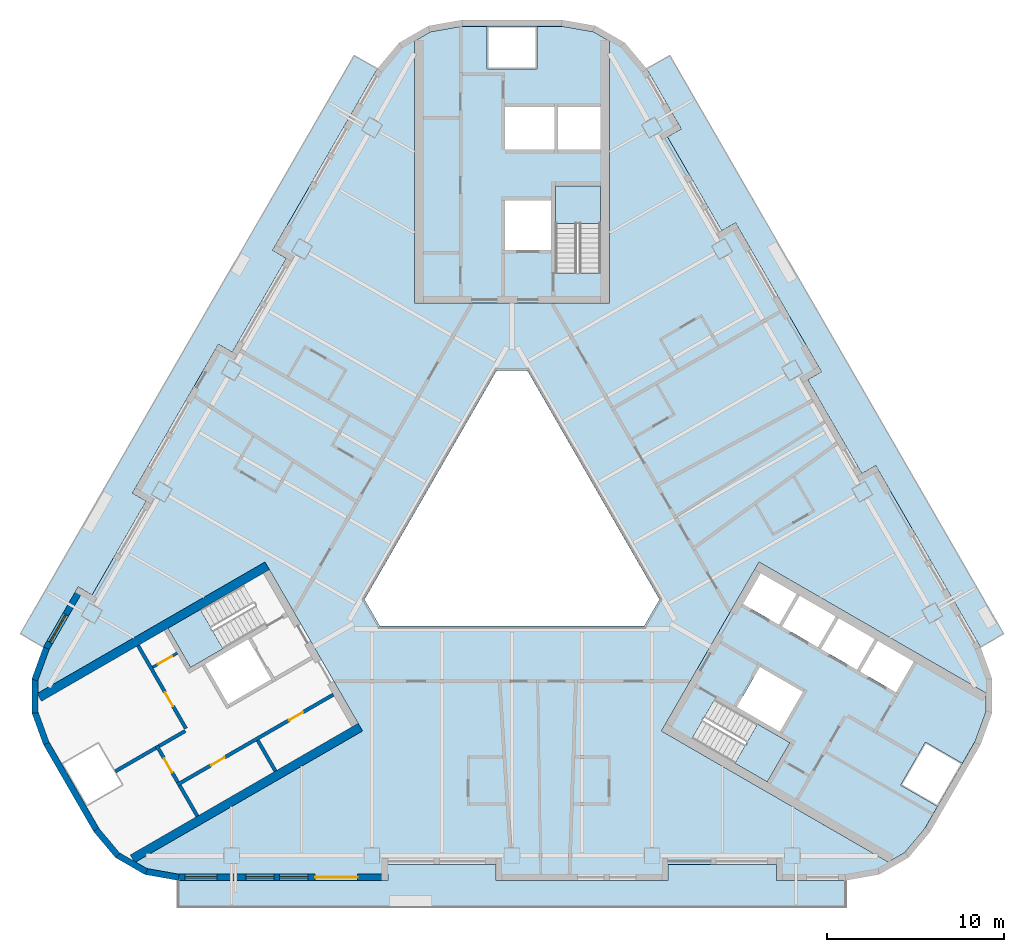
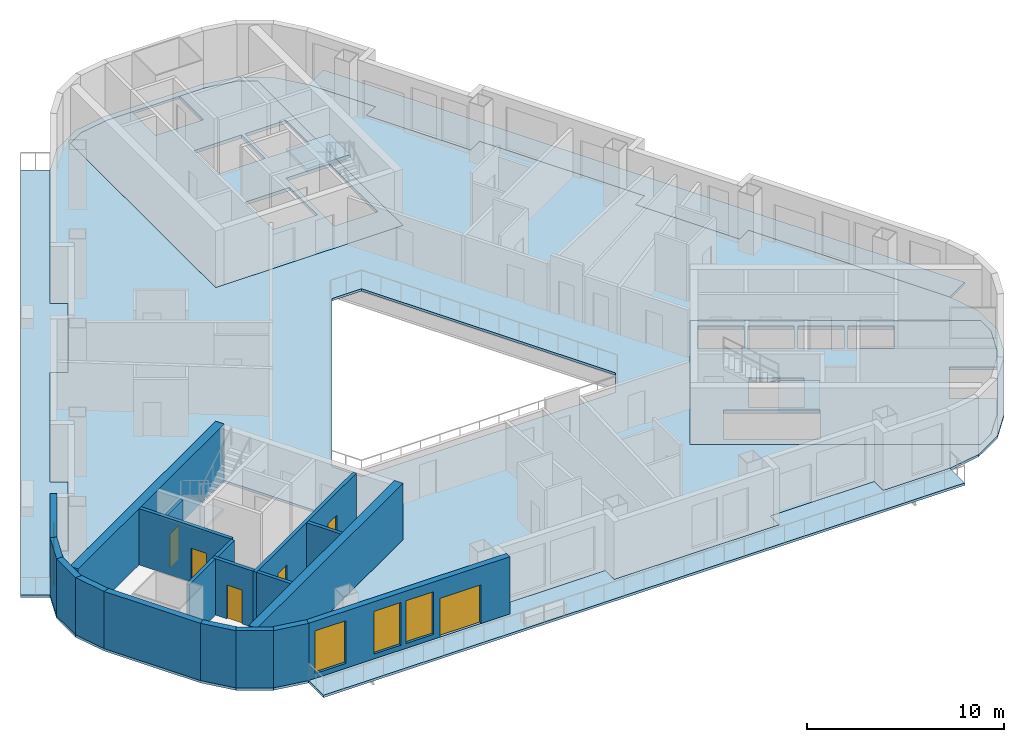
# One storey, part 2 of 14: 19 walls, 9 slabs, 6 doors, 4 windows, 10 openings, 3 elements without a shape of their own.
"""IFC4 building model written with IfcOpenShell, lengths in metres."""

from ifc_helpers import new_model, si_unit, direction, frame, frame_2d, origin, place, context, subcontext, project, spatial, polyline, rectangle, outline, extrude, material, layer, layer_set, type_object, element, fill, aggregate, save


model = new_model("IFC4")

# Units and contexts
model_context = context("Model", 3, precision=1e-05, world=origin(), true_north=direction((0.0, 1.0)))
body_context = subcontext(model_context, "Body", "Model", "MODEL_VIEW")
ifc_project = project(units=[si_unit("LENGTHUNIT", "METRE"), si_unit("AREAUNIT", "SQUARE_METRE"), si_unit("VOLUMEUNIT", "CUBIC_METRE"), si_unit("PLANEANGLEUNIT", "RADIAN"), si_unit("MASSUNIT", "GRAM", prefix="KILO")], contexts=[model_context])

# Site, building, storey
site_placement = place(None, origin())
site = spatial("IfcSite", under=ifc_project, at=site_placement, CompositionType="ELEMENT")
building_placement = place(site_placement, origin())
building = spatial("IfcBuilding", under=site, at=building_placement, Name="Apuvela Tower Hotel", CompositionType="ELEMENT")
storey_placement = place(building_placement, frame((0.0, 0.0, 109.39990234375)))
storey = spatial("IfcBuildingStorey", under=building, at=storey_placement, Name="L25", CompositionType="ELEMENT", Elevation=109.39990234375)

# Slabs
ifc_material_1 = material(Name="Concrete C50/60", Category="concrete")
ifc_layer_1 = layer(ifc_material_1, 0.199951171875)
ifc_layer_set_1 = layer_set([ifc_layer_1], Name="COR-FLOOR-200")
slab_type_1 = type_object("IfcSlabType", Name="COR-FLOOR-200", PredefinedType="FLOOR", material=ifc_layer_set_1)
slab_1_placement = place(storey_placement, frame((0.0, 0.0, -0.199951171875)))
element("IfcSlab", 1, at=slab_1_placement, inside=storey, type_object=slab_type_1, Name="Core floor N", PredefinedType="FLOOR", context=body_context, shape_type="SweptSolid", body=[
    extrude(outline(polyline([(5.5, 27.668212890625), (4.588623046875, 28.1943359375), (2.85498046875, 28.5), (1.39990234375, 28.5), (1.39990234375, 26.10009765625), (-1.39990234375, 26.10009765625), (-1.39990234375, 28.5), (-2.85498046875, 28.5), (-4.588623046875, 28.1943359375), (-5.5, 27.668212890625), (-5.5, 12.89990234375), (5.5, 12.89990234375), (5.5, 27.668212890625)]), holes=[polyline([(5.0, 14.60595703125), (2.449951171875, 14.60595703125), (2.449951171875, 19.5), (5.0, 19.5), (5.0, 14.60595703125)]), polyline([(2.199951171875, 15.89990234375), (-0.39990234375, 15.89990234375), (-0.39990234375, 18.699951171875), (2.199951171875, 18.699951171875), (2.199951171875, 15.89990234375)]), polyline([(5.0, 21.550048828125), (2.60009765625, 21.550048828125), (2.60009765625, 23.949951171875), (5.0, 23.949951171875), (5.0, 21.550048828125)]), polyline([(2.39990234375, 21.550048828125), (-0.39990234375, 21.550048828125), (-0.39990234375, 23.949951171875), (2.39990234375, 23.949951171875), (2.39990234375, 21.550048828125)])]), origin(), (0.0, 0.0, 1.0), 0.199951171875),
])
slab_2_placement = place(storey_placement, frame((0.0, 0.0, -0.199951171875)))
element("IfcSlab", 2, at=slab_2_placement, inside=storey, type_object=slab_type_1, Name="Core floor SE", PredefinedType="FLOOR", context=body_context, shape_type="SweptSolid", body=[
    extrude(outline(polyline([(21.211181640625, -18.59716796875), (22.122802734375, -18.071044921875), (23.254150390625, -16.72265625), (23.981689453125, -15.46240234375), (21.9033203125, -14.262451171875), (23.30322265625, -11.837646484375), (25.381591796875, -13.03759765625), (26.109375, -11.77734375), (26.711181640625, -10.123291015625), (26.711181640625, -9.07080078125), (13.921630859375, -1.68701171875), (8.421630859375, -11.213134765625), (21.211181640625, -18.59716796875)]), holes=[polyline([(13.01806640625, -4.052001953125), (14.01806640625, -2.31982421875), (16.044677734375, -3.489990234375), (15.044677734375, -5.221923828125), (13.01806640625, -4.052001953125)]), polyline([(17.244384765625, -6.491943359375), (15.2177734375, -5.322021484375), (16.2177734375, -3.58984375), (18.244384765625, -4.760009765625), (17.244384765625, -6.491943359375)]), polyline([(14.387451171875, -14.080078125), (10.149169921875, -11.633056640625), (11.42431640625, -9.4248046875), (15.66259765625, -11.871826171875), (14.387451171875, -14.080078125)]), polyline([(12.669921875, -9.855224609375), (13.9697265625, -7.603515625), (16.394775390625, -9.003662109375), (15.0947265625, -11.25537109375), (12.669921875, -9.855224609375)]), polyline([(19.444091796875, -7.761962890625), (17.41748046875, -6.591796875), (18.41748046875, -4.85986328125), (20.444091796875, -6.02978515625), (19.444091796875, -7.761962890625)]), polyline([(21.643798828125, -9.031982421875), (19.6171875, -7.86181640625), (20.6171875, -6.1298828125), (22.643798828125, -7.2998046875), (21.643798828125, -9.031982421875)])]), origin(), (0.0, 0.0, 1.0), 0.199951171875),
])

# Stair, slab
stair_type = type_object("IfcStairType", Name="COR-STAIR-22R", PredefinedType="HALF_TURN_STAIR", material=ifc_material_1)
stair_1_placement = place(storey_placement, origin())
stair_1 = element("IfcStair", 3, at=stair_1_placement, inside=storey, type_object=stair_type, Name="L25 Exit stair ST1", PredefinedType="HALF_TURN_STAIR")
ifc_layer_2 = layer(ifc_material_1, 0.199951171875)
ifc_layer_set_2 = layer_set([ifc_layer_2], Name="COR-LANDING-200")
slab_type_2 = type_object("IfcSlabType", Name="COR-LANDING-200", PredefinedType="LANDING", material=ifc_layer_set_2)
slab_3_placement = place(storey_placement, frame((0.0, 0.0, 1.650146484375)))
slab_3 = element("IfcSlab", 4, at=slab_3_placement, type_object=slab_type_2, Name="ST1 landing 1", PredefinedType="LANDING", context=body_context, shape_type="SweptSolid", body=[
    extrude(outline(polyline([(5.0, 17.39404296875), (5.0, 19.5), (2.449951171875, 19.5), (2.449951171875, 17.39404296875), (5.0, 17.39404296875)])), origin(), (0.0, 0.0, 1.0), 0.199951171875),
])
aggregate(stair_1, [slab_3])

stair_2_placement = place(storey_placement, origin())
stair_2 = element("IfcStair", 5, at=stair_2_placement, inside=storey, type_object=stair_type, Name="L25 Exit stair ST2", PredefinedType="HALF_TURN_STAIR")
slab_4_placement = place(storey_placement, frame((0.0, 0.0, 1.650146484375)))
slab_4 = element("IfcSlab", 6, at=slab_4_placement, type_object=slab_type_2, Name="ST2 landing 1", PredefinedType="LANDING", context=body_context, shape_type="SweptSolid", body=[
    extrude(outline(polyline([(-17.563720703125, -4.366943359375), (-19.387451171875, -5.419921875), (-18.112548828125, -7.628173828125), (-16.28857421875, -6.5751953125), (-17.563720703125, -4.366943359375)])), origin(), (0.0, 0.0, 1.0), 0.199951171875),
])
aggregate(stair_2, [slab_4])

stair_3_placement = place(storey_placement, origin())
stair_3 = element("IfcStair", 7, at=stair_3_placement, inside=storey, type_object=stair_type, Name="L25 Exit stair ST3", PredefinedType="HALF_TURN_STAIR")
slab_5_placement = place(storey_placement, frame((0.0, 0.0, 1.650146484375)))
slab_5 = element("IfcSlab", 8, at=slab_5_placement, type_object=slab_type_2, Name="ST3 landing 1", PredefinedType="LANDING", context=body_context, shape_type="SweptSolid", body=[
    extrude(outline(polyline([(12.563720703125, -13.027099609375), (14.387451171875, -14.080078125), (15.66259765625, -11.871826171875), (13.838623046875, -10.81884765625), (12.563720703125, -13.027099609375)])), origin(), (0.0, 0.0, 1.0), 0.199951171875),
])
aggregate(stair_3, [slab_5])

# Slabs
ifc_material_2 = material(Name="Concrete C40/50, fair-faced", Category="concrete")
ifc_layer_3 = layer(ifc_material_2, 0.14990234375)
ifc_layer_set_3 = layer_set([ifc_layer_3], Name="ENV-BALCONY-150")
slab_type_3 = type_object("IfcSlabType", Name="ENV-BALCONY-150", PredefinedType="FLOOR", material=ifc_layer_set_3)
slab_6_placement = place(storey_placement, frame((0.0, 0.0, -0.14990234375)))
element("IfcSlab", 9, at=slab_6_placement, inside=storey, type_object=slab_type_3, Name="Balcony slab S L25", PredefinedType="FLOOR", context=body_context, shape_type="SweptSolid", body=[
    extrude(outline(polyline([(18.82080078125, -21.135009765625), (-18.82080078125, -21.135009765625), (-18.82080078125, -19.625), (-7.0048828125, -19.625), (-7.0048828125, -18.72509765625), (-0.89501953125, -18.72509765625), (-0.89501953125, -19.625), (8.794921875, -19.625), (8.794921875, -18.72509765625), (14.905029296875, -18.72509765625), (14.905029296875, -19.625), (18.82080078125, -19.625), (18.82080078125, -21.135009765625)])), origin(), (0.0, 0.0, 1.0), 0.14990234375),
])
slab_7_placement = place(storey_placement, frame((0.0, 0.0, -0.14990234375)))
element("IfcSlab", 10, at=slab_7_placement, inside=storey, type_object=slab_type_3, Name="Balcony slab NE L25", PredefinedType="FLOOR", context=body_context, shape_type="SweptSolid", body=[
    extrude(outline(polyline([(17.443359375, 9.037353515625), (12.598388671875, 17.42919921875), (11.81884765625, 16.979248046875), (8.763916015625, 22.2705078125), (9.543212890625, 22.720703125), (7.585205078125, 26.11181640625), (8.89306640625, 26.86669921875), (27.7138671875, -5.731689453125), (26.40625, -6.48681640625), (20.498291015625, 3.74609375), (19.71875, 3.2958984375), (16.663818359375, 8.58740234375), (17.443359375, 9.037353515625)])), origin(), (0.0, 0.0, 1.0), 0.14990234375),
])
slab_8_placement = place(storey_placement, frame((0.0, 0.0, -0.14990234375)))
element("IfcSlab", 11, at=slab_8_placement, inside=storey, type_object=slab_type_3, Name="Balcony slab NW L25", PredefinedType="FLOOR", context=body_context, shape_type="SweptSolid", body=[
    extrude(outline(polyline([(-27.7138671875, -5.731689453125), (-8.89306640625, 26.86669921875), (-7.585205078125, 26.11181640625), (-13.4931640625, 15.87890625), (-12.7138671875, 15.428955078125), (-15.768798828125, 10.1376953125), (-16.548095703125, 10.587646484375), (-21.393310546875, 2.19580078125), (-20.61376953125, 1.745849609375), (-23.668701171875, -3.545654296875), (-24.4482421875, -3.095703125), (-26.40625, -6.48681640625), (-27.7138671875, -5.731689453125)])), origin(), (0.0, 0.0, 1.0), 0.14990234375),
])
ifc_material_3 = material(Name="Concrete C35/45", Category="concrete")
ifc_layer_4 = layer(ifc_material_3, 0.14990234375)
ifc_layer_set_4 = layer_set([ifc_layer_4], Name="STR-SLAB 150 floor Concrete C35/45")
slab_type_4 = type_object("IfcSlabType", Name="STR-SLAB 150 floor Concrete C35/45", PredefinedType="FLOOR", material=ifc_layer_set_4)
slab_9_placement = place(storey_placement, frame((0.0, 0.0, -0.14990234375)))
element("IfcSlab", 12, at=slab_9_placement, inside=storey, type_object=slab_type_4, Name="Floor slab S4 L25", PredefinedType="FLOOR", context=body_context, shape_type="SweptSolid", body=[
    extrude(outline(polyline([(-6.3642578125, 27.5732421875), (-4.710205078125, 28.5283203125), (-2.8291015625, 28.860107421875), (2.8291015625, 28.860107421875), (4.710205078125, 28.5283203125), (6.3642578125, 27.5732421875), (7.59228515625, 26.110107421875), (9.550048828125, 22.71875), (8.770751953125, 22.268798828125), (11.82080078125, 16.986083984375), (12.60009765625, 17.43603515625), (17.4501953125, 9.035400390625), (16.670654296875, 8.58544921875), (19.720703125, 3.302734375), (20.5, 3.752685546875), (26.407958984375, -6.47998046875), (27.061279296875, -8.27490234375), (27.061279296875, -10.18505859375), (26.407958984375, -11.97998046875), (23.5791015625, -16.8798828125), (22.351318359375, -18.34326171875), (20.697021484375, -19.29833984375), (18.81591796875, -19.6298828125), (14.89990234375, -19.6298828125), (14.89990234375, -18.72998046875), (8.800048828125, -18.72998046875), (8.800048828125, -19.6298828125), (-0.89990234375, -19.6298828125), (-0.89990234375, -18.72998046875), (-7.0, -18.72998046875), (-7.0, -19.6298828125), (-18.81591796875, -19.6298828125), (-20.697021484375, -19.29833984375), (-22.351318359375, -18.34326171875), (-23.5791015625, -16.8798828125), (-26.407958984375, -11.97998046875), (-27.061279296875, -10.18505859375), (-27.061279296875, -8.27490234375), (-26.407958984375, -6.47998046875), (-24.4501953125, -3.088623046875), (-23.670654296875, -3.538818359375), (-20.62060546875, 1.743896484375), (-21.400146484375, 2.194091796875), (-16.550048828125, 10.594482421875), (-15.7705078125, 10.14453125), (-12.720703125, 15.42724609375), (-13.5, 15.877197265625), (-7.59228515625, 26.110107421875), (-6.3642578125, 27.5732421875)]), holes=[polyline([(0.865966796875, 9.10009765625), (-0.865966796875, 9.10009765625), (-8.313720703125, -3.800048828125), (-7.44775390625, -5.300048828125), (7.44775390625, -5.300048828125), (8.313720703125, -3.800048828125), (0.865966796875, 9.10009765625)]), polyline([(-5.5, 12.89990234375), (-5.5, 27.668212890625), (-4.588623046875, 28.1943359375), (-2.85498046875, 28.5), (2.85498046875, 28.5), (4.588623046875, 28.1943359375), (5.5, 27.668212890625), (5.5, 12.89990234375), (-5.5, 12.89990234375)]), polyline([(-8.421630859375, -11.213134765625), (-21.211181640625, -18.59716796875), (-22.122802734375, -18.071044921875), (-23.254150390625, -16.72265625), (-26.109375, -11.77734375), (-26.711181640625, -10.123291015625), (-26.711181640625, -9.07080078125), (-13.921630859375, -1.68701171875), (-8.421630859375, -11.213134765625)]), polyline([(13.921630859375, -1.68701171875), (26.711181640625, -9.07080078125), (26.711181640625, -10.123291015625), (26.109375, -11.77734375), (23.254150390625, -16.72265625), (22.122802734375, -18.071044921875), (21.211181640625, -18.59716796875), (8.421630859375, -11.213134765625), (13.921630859375, -1.68701171875)])]), origin(), (0.0, 0.0, 1.0), 0.14990234375),
])

# Walls
ifc_layer_5 = layer(ifc_material_1, 0.5)
ifc_layer_set_5 = layer_set([ifc_layer_5], Name="COR-WALL-CORE-500")
wall_type_1 = type_object("IfcWallType", Name="COR-WALL-CORE-500", PredefinedType="SHEAR", material=ifc_layer_set_5)
for number, where, z_axis, x_axis, name in (
    (13, (-13.796630859375, -1.9033203125, 0.0), (0.0, 0.0, 1.0), (-0.866025009528, -0.500000682871, 0.0), "Core wall SW"),
    (14, (-8.546630859375, -10.99658203125, 0.0), (0.0, 0.0, 1.0), (-0.866025009528, -0.500000682871, 0.0), "Core wall SW"),
):
    element("IfcWall", number, at=place(storey_placement, frame(where, z_axis=z_axis, x_axis=x_axis)), inside=storey, type_object=wall_type_1, Name=name, PredefinedType="SHEAR", context=body_context, shape_type="SweptSolid", body=[
        extrude(rectangle(XDim=14.8369140625, YDim=0.5, at=frame_2d((7.41845703125, 0.0))), origin(), (0.0, 0.0, 1.0), 3.5),
    ])

# Wall, opening, door
ifc_material_4 = material(Name="Blockwork 150 mm plastered", Category="masonry")
ifc_layer_6 = layer(ifc_material_4, 0.14990234375)
ifc_layer_set_6 = layer_set([ifc_layer_6], Name="COR-WALL-PART-150")
wall_type_2 = type_object("IfcWallType", Name="COR-WALL-PART-150", PredefinedType="PARTITIONING", material=ifc_layer_set_6)
wall_1_placement = place(storey_placement, frame((-18.866455078125, -6.822265625, 0.0), z_axis=(0.0, 0.0, 1.0), x_axis=(-0.866028054938, -0.499995408039, 0.0)))
wall_1 = element("IfcWall", 15, at=wall_1_placement, inside=storey, type_object=wall_type_2, Name="Partition SW", PredefinedType="PARTITIONING", context=body_context, shape_type="SweptSolid", body=[
    extrude(rectangle(XDim=1.60009765625, YDim=0.14990234375, at=frame_2d((0.800048828125, 0.0))), origin(), (0.0, 0.0, 1.0), 3.5),
])
opening_1_placement = place(wall_1_placement, frame((0.35009765625, 0.0, 0.0)))
opening_1 = element("IfcOpeningElement", 16, at=opening_1_placement, cuts=wall_1, Name="Opening W-RD", PredefinedType="OPENING", context=body_context, shape_type="SweptSolid", body=[
    extrude(rectangle(XDim=0.89990234375, YDim=2.10009765625, at=frame_2d((0.449951171875, 1.050048828125))), frame((0.0, 0.0849609375, 0.0), z_axis=(0.0, -1.0, 0.0), x_axis=(1.0, 0.0, 0.0)), (0.0, 0.0, 1.0), 0.169921875),
])
ifc_material_5 = material(Name="Steel access door, powder coated", Category="steel")
door_type_1 = type_object("IfcDoorType", Name="COR-RD-900", OperationType="NOTDEFINED", PredefinedType="DOOR", material=ifc_material_5)
door_1_placement = place(opening_1_placement, frame((0.89990234375, 0.0, 0.0), z_axis=(0.0, 0.0, 1.0), x_axis=(-1.0, 0.0, 0.0)))
door_1 = element("IfcDoor", 17, at=door_1_placement, inside=storey, type_object=door_type_1, Name="Riser door W-RD", OperationType="SINGLE_SWING_RIGHT", OverallHeight=2.10009765625, OverallWidth=0.89990234375, PredefinedType="DOOR", context=body_context, shape_type="SweptSolid", body=[
    extrude(rectangle(XDim=0.89990234375, YDim=2.10009765625, at=frame_2d((0.449951171875, 1.050048828125))), frame((0.0, 0.02490234375, 0.0), z_axis=(0.0, -1.0, 0.0), x_axis=(1.0, 0.0, 0.0)), (0.0, 0.0, 1.0), 0.050048828125),
])
fill(opening_1, door_1)

ifc_material_6 = material(Name="Blockwork 200 mm plastered", Category="masonry")
ifc_layer_7 = layer(ifc_material_6, 0.199951171875)
ifc_layer_set_7 = layer_set([ifc_layer_7], Name="COR-WALL-PART-200")
wall_type_3 = type_object("IfcWallType", Name="COR-WALL-PART-200", PredefinedType="PARTITIONING", material=ifc_layer_set_7)
wall_2_placement = place(storey_placement, frame((-21.076171875, -6.39501953125, 0.0), z_axis=(0.0, 0.0, 1.0), x_axis=(0.50001468107, -0.866016927499, 0.0)))
wall_2 = element("IfcWall", 18, at=wall_2_placement, inside=storey, type_object=wall_type_3, Name="Partition SW", PredefinedType="PARTITIONING", context=body_context, shape_type="SweptSolid", body=[
    extrude(rectangle(XDim=5.399658203125, YDim=0.199951171875, at=frame_2d((2.69970703125, 0.0))), origin(), (0.0, 0.0, 1.0), 3.5),
])
opening_2_placement = place(wall_2_placement, frame((3.050048828125, 0.0, 0.0)))
opening_2 = element("IfcOpeningElement", 19, at=opening_2_placement, cuts=wall_2, Name="Opening W-RS1", PredefinedType="OPENING", context=body_context, shape_type="SweptSolid", body=[
    extrude(rectangle(XDim=0.89990234375, YDim=2.10009765625, at=frame_2d((0.449951171875, 1.050048828125))), frame((0.0, 0.10986328125, 0.0), z_axis=(0.0, -1.0, 0.0), x_axis=(1.0, 0.0, 0.0)), (0.0, 0.0, 1.0), 0.219970703125),
])
ifc_material_7 = material(Name="Steel fire door, powder coated", Category="steel")
door_type_2 = type_object("IfcDoorType", Name="COR-DR-900", OperationType="NOTDEFINED", PredefinedType="DOOR", material=ifc_material_7)
door_2_placement = place(opening_2_placement, frame((0.89990234375, 0.0, 0.0), z_axis=(0.0, 0.0, 1.0), x_axis=(-1.0, 0.0, 0.0)))
door_2 = element("IfcDoor", 20, at=door_2_placement, inside=storey, type_object=door_type_2, Name="Store door W-RS1", OperationType="SINGLE_SWING_LEFT", OverallHeight=2.10009765625, OverallWidth=0.89990234375, PredefinedType="DOOR", context=body_context, shape_type="SweptSolid", body=[
    extrude(rectangle(XDim=0.89990234375, YDim=2.10009765625, at=frame_2d((0.449951171875, 1.050048828125))), frame((0.0, 0.02490234375, 0.0), z_axis=(0.0, -1.0, 0.0), x_axis=(1.0, 0.0, 0.0)), (0.0, 0.0, 1.0), 0.050048828125),
])
fill(opening_2, door_2)

# Wall, openings, doors
ifc_layer_8 = layer(ifc_material_1, 0.199951171875)
ifc_layer_set_8 = layer_set([ifc_layer_8], Name="COR-WALL-SHAFT-200")
wall_type_4 = type_object("IfcWallType", Name="COR-WALL-SHAFT-200", PredefinedType="SHEAR", material=ifc_layer_set_8)
wall_3_placement = place(storey_placement, frame((-10.068115234375, -9.16162109375, 0.0), z_axis=(0.0, 0.0, 1.0), x_axis=(-0.866032725843, -0.499987317609, 0.0)))
wall_3 = element("IfcWall", 21, at=wall_3_placement, inside=storey, type_object=wall_type_4, Name="Shaft wall SW", PredefinedType="SHEAR", context=body_context, shape_type="SweptSolid", body=[
    extrude(rectangle(XDim=10.159912109375, YDim=0.199951171875, at=frame_2d((5.080078125, 0.0))), origin(), (0.0, 0.0, 1.0), 3.5),
])
opening_3_placement = place(wall_3_placement, frame((1.989990234375, 0.0, 0.0)))
opening_3 = element("IfcOpeningElement", 22, at=opening_3_placement, cuts=wall_3, Name="Opening W-RE1", PredefinedType="OPENING", context=body_context, shape_type="SweptSolid", body=[
    extrude(rectangle(XDim=0.89990234375, YDim=2.10009765625, at=frame_2d((0.449951171875, 1.050048828125))), frame((0.0, 0.10986328125, 0.0), z_axis=(0.0, -1.0, 0.0), x_axis=(1.0, 0.0, 0.0)), (0.0, 0.0, 1.0), 0.219970703125),
])
opening_4_placement = place(wall_3_placement, frame((7.070068359375, 0.0, 0.0)))
opening_4 = element("IfcOpeningElement", 23, at=opening_4_placement, cuts=wall_3, Name="Opening W-RE3", PredefinedType="OPENING", context=body_context, shape_type="SweptSolid", body=[
    extrude(rectangle(XDim=0.89990234375, YDim=2.10009765625, at=frame_2d((0.449951171875, 1.050048828125))), frame((0.0, 0.10986328125, 0.0), z_axis=(0.0, -1.0, 0.0), x_axis=(1.0, 0.0, 0.0)), (0.0, 0.0, 1.0), 0.219970703125),
])
door_3_placement = place(opening_3_placement, origin())
door_3 = element("IfcDoor", 24, at=door_3_placement, inside=storey, type_object=door_type_2, Name="Store door W-RE1", OperationType="SINGLE_SWING_LEFT", OverallHeight=2.10009765625, OverallWidth=0.89990234375, PredefinedType="DOOR", context=body_context, shape_type="SweptSolid", body=[
    extrude(rectangle(XDim=0.89990234375, YDim=2.10009765625, at=frame_2d((0.449951171875, 1.050048828125))), frame((0.0, 0.02490234375, 0.0), z_axis=(0.0, -1.0, 0.0), x_axis=(1.0, 0.0, 0.0)), (0.0, 0.0, 1.0), 0.050048828125),
])
fill(opening_3, door_3)
door_4_placement = place(opening_4_placement, origin())
door_4 = element("IfcDoor", 25, at=door_4_placement, inside=storey, type_object=door_type_2, Name="Store door W-RE3", OperationType="SINGLE_SWING_LEFT", OverallHeight=2.10009765625, OverallWidth=0.89990234375, PredefinedType="DOOR", context=body_context, shape_type="SweptSolid", body=[
    extrude(rectangle(XDim=0.89990234375, YDim=2.10009765625, at=frame_2d((0.449951171875, 1.050048828125))), frame((0.0, 0.02490234375, 0.0), z_axis=(0.0, -1.0, 0.0), x_axis=(1.0, 0.0, 0.0)), (0.0, 0.0, 1.0), 0.050048828125),
])
fill(opening_4, door_4)

# Wall, opening, door
wall_4_placement = place(storey_placement, frame((-20.030517578125, -12.0263671875, 0.0), z_axis=(0.0, 0.0, 1.0), x_axis=(0.500033551112, -0.866006032174, 0.0)))
wall_4 = element("IfcWall", 26, at=wall_4_placement, inside=storey, type_object=wall_type_4, Name="Shaft wall SW", PredefinedType="SHEAR", context=body_context, shape_type="SweptSolid", body=[
    extrude(rectangle(XDim=2.400146484375, YDim=0.199951171875, at=frame_2d((1.2001953125, 0.0))), origin(), (0.0, 0.0, 1.0), 3.5),
])
opening_5_placement = place(wall_4_placement, frame((0.85009765625, 0.0, 0.0)))
opening_5 = element("IfcOpeningElement", 27, at=opening_5_placement, cuts=wall_4, Name="Opening W-REP", PredefinedType="OPENING", context=body_context, shape_type="SweptSolid", body=[
    extrude(rectangle(XDim=0.89990234375, YDim=2.10009765625, at=frame_2d((0.449951171875, 1.050048828125))), frame((0.0, 0.10986328125, 0.0), z_axis=(0.0, -1.0, 0.0), x_axis=(1.0, 0.0, 0.0)), (0.0, 0.0, 1.0), 0.219970703125),
])
door_5_placement = place(opening_5_placement, frame((0.89990234375, 0.0, 0.0), z_axis=(0.0, 0.0, 1.0), x_axis=(-1.0, 0.0, 0.0)))
door_5 = element("IfcDoor", 28, at=door_5_placement, inside=storey, type_object=door_type_2, Name="Store door W-REP", OperationType="SINGLE_SWING_LEFT", OverallHeight=2.10009765625, OverallWidth=0.89990234375, PredefinedType="DOOR", context=body_context, shape_type="SweptSolid", body=[
    extrude(rectangle(XDim=0.89990234375, YDim=2.10009765625, at=frame_2d((0.449951171875, 1.050048828125))), frame((0.0, 0.02490234375, 0.0), z_axis=(0.0, -1.0, 0.0), x_axis=(1.0, 0.0, 0.0)), (0.0, 0.0, 1.0), 0.050048828125),
])
fill(opening_5, door_5)

# Walls
wall_5_placement = place(storey_placement, frame((-18.412841796875, -11.2080078125, 0.0), z_axis=(0.0, 0.0, 1.0), x_axis=(-0.866038183914, -0.499977863513, 0.0)))
element("IfcWall", 29, at=wall_5_placement, inside=storey, type_object=wall_type_4, Name="Shaft wall SW", PredefinedType="SHEAR", context=body_context, shape_type="SweptSolid", body=[
    extrude(rectangle(XDim=1.7099609375, YDim=0.199951171875, at=frame_2d((0.85498046875, 0.0))), origin(), (0.0, 0.0, 1.0), 3.5),
])
for number, where, z_axis, x_axis, name in (
    (30, (-14.330810546875, -11.738037109375, 0.0), (0.0, 0.0, 1.0), (0.499972520799, -0.866041268327, 0.0), "Shaft wall SW"),
    (31, (-18.73046875, -14.278076171875, 0.0), (0.0, 0.0, 1.0), (0.50002537861, -0.866010750942, 0.0), "Shaft wall SW"),
):
    element("IfcWall", number, at=place(storey_placement, frame(where, z_axis=z_axis, x_axis=x_axis)), inside=storey, type_object=wall_type_4, Name=name, PredefinedType="SHEAR", context=body_context, shape_type="SweptSolid", body=[
        extrude(rectangle(XDim=2.0, YDim=0.199951171875, at=frame_2d((1.0, 0.0))), origin(), (0.0, 0.0, 1.0), 3.5),
    ])
wall_6_placement = place(storey_placement, frame((-20.06689453125, -12.1630859375, 0.0), z_axis=(0.0, 0.0, 1.0), x_axis=(-0.866060851709, -0.499938597367, 0.0)))
element("IfcWall", 32, at=wall_6_placement, inside=storey, type_object=wall_type_4, Name="Shaft wall SW", PredefinedType="SHEAR", context=body_context, shape_type="SweptSolid", body=[
    extrude(rectangle(XDim=2.639892578125, YDim=0.199951171875, at=frame_2d((1.31982421875, 0.0))), origin(), (0.0, 0.0, 1.0), 3.5),
])

# Wall, opening, window
ifc_material_8 = material(Name="Concrete C40/50, dark pigmented precast panel", Category="concrete")
ifc_layer_9 = layer(ifc_material_8, 0.35009765625)
ifc_layer_set_9 = layer_set([ifc_layer_9], Name="ENV-WALL-350")
wall_type_5 = type_object("IfcWallType", Name="ENV-WALL-350", PredefinedType="SOLIDWALL", material=ifc_layer_set_9)
wall_7_placement = place(storey_placement, frame((-24.298583984375, -3.17626953125, 0.0), z_axis=(0.0, 0.0, 1.0), x_axis=(-0.500028278809, -0.866009076391, 0.0)))
wall_7 = element("IfcWall", 33, at=wall_7_placement, inside=storey, type_object=wall_type_5, Name="External wall L25-09", PredefinedType="SOLIDWALL", context=body_context, shape_type="SweptSolid", body=[
    extrude(rectangle(XDim=3.915771484375, YDim=0.35009765625, at=frame_2d((1.9580078125, 0.0))), origin(), (0.0, 0.0, 1.0), 3.550048828125),
])
opening_6_placement = place(wall_7_placement, frame((1.699951171875, 0.0, 0.300048828125)))
opening_6 = element("IfcOpeningElement", 34, at=opening_6_placement, cuts=wall_7, Name="Opening WN18", PredefinedType="OPENING", context=body_context, shape_type="SweptSolid", body=[
    extrude(rectangle(XDim=1.800048828125, YDim=2.64990234375, at=frame_2d((0.89990234375, 1.324951171875))), frame((0.0, 0.18505859375, 0.0), z_axis=(0.0, -1.0, 0.0), x_axis=(1.0, 0.0, 0.0)), (0.0, 0.0, 1.0), 0.3701171875),
])
ifc_material_9 = material(Name="Glass, dark tinted laminated insulated glazing unit", Category="glass")
window_type_1 = type_object("IfcWindowType", Name="ENV-WIN-1800x2650", PartitioningType="SINGLE_PANEL", PredefinedType="WINDOW", material=ifc_material_9)
window_1_placement = place(opening_6_placement, origin())
window_1 = element("IfcWindow", 35, at=window_1_placement, inside=storey, type_object=window_type_1, Name="Window WN18", OverallHeight=2.64990234375, OverallWidth=1.800048828125, PartitioningType="SINGLE_PANEL", PredefinedType="WINDOW", context=body_context, shape_type="SweptSolid", body=[
    extrude(rectangle(XDim=1.800048828125, YDim=2.64990234375, at=frame_2d((0.89990234375, 1.324951171875))), frame((0.0, 0.030029296875, 0.0), z_axis=(0.0, -1.0, 0.0), x_axis=(1.0, 0.0, 0.0)), (0.0, 0.0, 1.0), 0.06005859375),
])
fill(opening_6, window_1)

# Walls
for number, where, z_axis, x_axis, name in (
    (36, (-26.24365234375, -6.539794921875, 0.0), (0.0, 0.0, 1.0), (-0.342030395486, -0.939688889242, 0.0), "External wall L25-10"),
    (37, (-26.88623046875, -8.27490234375, 0.0), (0.0, 0.0, 1.0), (0.0, -1.0, 0.0), "External wall L25-11"),
    (38, (-26.89697265625, -10.125244140625, 0.0), (0.0, 0.0, 1.0), (0.342030395486, -0.939688889242, 0.0), "External wall L25-12"),
):
    element("IfcWall", number, at=place(storey_placement, frame(where, z_axis=z_axis, x_axis=x_axis)), inside=storey, type_object=wall_type_5, Name=name, PredefinedType="SOLIDWALL", context=body_context, shape_type="SweptSolid", body=[
        extrude(rectangle(XDim=1.91015625, YDim=0.35009765625, at=frame_2d((0.955078125, 0.0))), origin(), (0.0, 0.0, 1.0), 3.550048828125),
    ])
wall_8_placement = place(storey_placement, frame((-26.256591796875, -11.892578125, 0.0), z_axis=(0.0, 0.0, 1.0), x_axis=(0.500018773155, -0.866014564827, 0.0)))
element("IfcWall", 39, at=wall_8_placement, inside=storey, type_object=wall_type_5, Name="External wall L25-13", PredefinedType="SOLIDWALL", context=body_context, shape_type="SweptSolid", body=[
    extrude(rectangle(XDim=5.657958984375, YDim=0.35009765625, at=frame_2d((2.8291015625, 0.0))), origin(), (0.0, 0.0, 1.0), 3.550048828125),
])
for number, where, z_axis, x_axis, name in (
    (40, (-23.44482421875, -16.767578125, 0.0), (0.0, 0.0, 1.0), (0.642733291068, -0.76609001857, 0.0), "External wall L25-14"),
    (41, (-22.263671875, -18.191650390625, 0.0), (0.0, 0.0, 1.0), (0.866000389056, -0.500043324278, 0.0), "External wall L25-15"),
):
    element("IfcWall", number, at=place(storey_placement, frame(where, z_axis=z_axis, x_axis=x_axis)), inside=storey, type_object=wall_type_5, Name=name, PredefinedType="SOLIDWALL", context=body_context, shape_type="SweptSolid", body=[
        extrude(rectangle(XDim=1.909912109375, YDim=0.35009765625, at=frame_2d((0.955078125, 0.0))), origin(), (0.0, 0.0, 1.0), 3.550048828125),
    ])
wall_9_placement = place(storey_placement, frame((-20.66650390625, -19.1259765625, 0.0), z_axis=(0.0, 0.0, 1.0), x_axis=(0.984798995425, -0.173697837091, 0.0)))
element("IfcWall", 42, at=wall_9_placement, inside=storey, type_object=wall_type_5, Name="External wall L25-16", PredefinedType="SOLIDWALL", context=body_context, shape_type="SweptSolid", body=[
    extrude(rectangle(XDim=1.91015625, YDim=0.35009765625, at=frame_2d((0.955078125, 0.0))), origin(), (0.0, 0.0, 1.0), 3.550048828125),
])

# Wall, openings, door, windows
wall_10_placement = place(storey_placement, frame((-18.81591796875, -19.455078125, 0.0), z_axis=(0.0, 0.0, 1.0), x_axis=(1.0, 0.0, 0.0)))
wall_10 = element("IfcWall", 43, at=wall_10_placement, inside=storey, type_object=wall_type_5, Name="External wall L25-17", PredefinedType="SOLIDWALL", context=body_context, shape_type="SweptSolid", body=[
    extrude(rectangle(XDim=11.81591796875, YDim=0.35009765625, at=frame_2d((5.907958984375, 0.0))), origin(), (0.0, 0.0, 1.0), 3.550048828125),
])
opening_7_placement = place(wall_10_placement, frame((0.380615234375, 0.0, 0.300048828125)))
opening_7 = element("IfcOpeningElement", 44, at=opening_7_placement, cuts=wall_10, Name="Opening WN18", PredefinedType="OPENING", context=body_context, shape_type="SweptSolid", body=[
    extrude(rectangle(XDim=1.800048828125, YDim=2.64990234375, at=frame_2d((0.89990234375, 1.324951171875))), frame((0.0, 0.18505859375, 0.0), z_axis=(0.0, -1.0, 0.0), x_axis=(1.0, 0.0, 0.0)), (0.0, 0.0, 1.0), 0.3701171875),
])
opening_8_placement = place(wall_10_placement, frame((7.71630859375, 0.0, 0.0)))
opening_8 = element("IfcOpeningElement", 45, at=opening_8_placement, cuts=wall_10, Name="Opening BD24", PredefinedType="OPENING", context=body_context, shape_type="SweptSolid", body=[
    extrude(rectangle(XDim=2.39990234375, YDim=2.39990234375, at=frame_2d((1.199951171875, 1.199951171875))), frame((0.0, 0.18505859375, 0.0), z_axis=(0.0, -1.0, 0.0), x_axis=(1.0, 0.0, 0.0)), (0.0, 0.0, 1.0), 0.3701171875),
])
opening_9_placement = place(wall_10_placement, frame((3.816162109375, 0.0, 0.300048828125)))
opening_9 = element("IfcOpeningElement", 46, at=opening_9_placement, cuts=wall_10, Name="Opening WN16", PredefinedType="OPENING", context=body_context, shape_type="SweptSolid", body=[
    extrude(rectangle(XDim=1.60009765625, YDim=2.64990234375, at=frame_2d((0.800048828125, 1.324951171875))), frame((0.0, 0.18505859375, 0.0), z_axis=(0.0, -1.0, 0.0), x_axis=(1.0, 0.0, 0.0)), (0.0, 0.0, 1.0), 0.3701171875),
])
opening_10_placement = place(wall_10_placement, frame((5.71630859375, 0.0, 0.300048828125)))
opening_10 = element("IfcOpeningElement", 47, at=opening_10_placement, cuts=wall_10, Name="Opening WN16", PredefinedType="OPENING", context=body_context, shape_type="SweptSolid", body=[
    extrude(rectangle(XDim=1.60009765625, YDim=2.64990234375, at=frame_2d((0.800048828125, 1.324951171875))), frame((0.0, 0.18505859375, 0.0), z_axis=(0.0, -1.0, 0.0), x_axis=(1.0, 0.0, 0.0)), (0.0, 0.0, 1.0), 0.3701171875),
])
ifc_material_10 = material(Name="Aluminium 6063-T6, dark bronze anodised frame with dark tinted laminated glass", Category="aluminium")
door_type_3 = type_object("IfcDoorType", Name="ENV-DOOR-BALCONY-2400x2400", OperationType="SLIDING_TO_LEFT", PredefinedType="DOOR", material=ifc_material_10)
door_6_placement = place(opening_8_placement, frame((2.39990234375, 0.0, 0.0), z_axis=(0.0, 0.0, 1.0), x_axis=(-1.0, 0.0, 0.0)))
door_6 = element("IfcDoor", 48, at=door_6_placement, inside=storey, type_object=door_type_3, Name="Balcony door BD24", OperationType="SLIDING_TO_LEFT", OverallHeight=2.39990234375, OverallWidth=2.39990234375, PredefinedType="DOOR", context=body_context, shape_type="SweptSolid", body=[
    extrude(rectangle(XDim=2.39990234375, YDim=2.39990234375, at=frame_2d((1.199951171875, 1.199951171875))), frame((0.0, 0.02490234375, 0.0), z_axis=(0.0, -1.0, 0.0), x_axis=(1.0, 0.0, 0.0)), (0.0, 0.0, 1.0), 0.050048828125),
])
fill(opening_8, door_6)
window_type_2 = type_object("IfcWindowType", Name="ENV-WIN-1600x2650", PartitioningType="SINGLE_PANEL", PredefinedType="WINDOW", material=ifc_material_9)
window_2_placement = place(opening_9_placement, origin())
window_2 = element("IfcWindow", 49, at=window_2_placement, inside=storey, type_object=window_type_2, Name="Window WN16", OverallHeight=2.64990234375, OverallWidth=1.60009765625, PartitioningType="SINGLE_PANEL", PredefinedType="WINDOW", context=body_context, shape_type="SweptSolid", body=[
    extrude(rectangle(XDim=1.60009765625, YDim=2.64990234375, at=frame_2d((0.800048828125, 1.324951171875))), frame((0.0, 0.030029296875, 0.0), z_axis=(0.0, -1.0, 0.0), x_axis=(1.0, 0.0, 0.0)), (0.0, 0.0, 1.0), 0.06005859375),
])
fill(opening_9, window_2)
window_3_placement = place(opening_10_placement, origin())
window_3 = element("IfcWindow", 50, at=window_3_placement, inside=storey, type_object=window_type_2, Name="Window WN16", OverallHeight=2.64990234375, OverallWidth=1.60009765625, PartitioningType="SINGLE_PANEL", PredefinedType="WINDOW", context=body_context, shape_type="SweptSolid", body=[
    extrude(rectangle(XDim=1.60009765625, YDim=2.64990234375, at=frame_2d((0.800048828125, 1.324951171875))), frame((0.0, 0.030029296875, 0.0), z_axis=(0.0, -1.0, 0.0), x_axis=(1.0, 0.0, 0.0)), (0.0, 0.0, 1.0), 0.06005859375),
])
fill(opening_10, window_3)
window_4_placement = place(opening_7_placement, origin())
window_4 = element("IfcWindow", 51, at=window_4_placement, inside=storey, type_object=window_type_1, Name="Window WN18", OverallHeight=2.64990234375, OverallWidth=1.800048828125, PartitioningType="SINGLE_PANEL", PredefinedType="WINDOW", context=body_context, shape_type="SweptSolid", body=[
    extrude(rectangle(XDim=1.800048828125, YDim=2.64990234375, at=frame_2d((0.89990234375, 1.324951171875))), frame((0.0, 0.030029296875, 0.0), z_axis=(0.0, -1.0, 0.0), x_axis=(1.0, 0.0, 0.0)), (0.0, 0.0, 1.0), 0.06005859375),
])
fill(opening_7, window_4)

save(model, "model.ifc")
